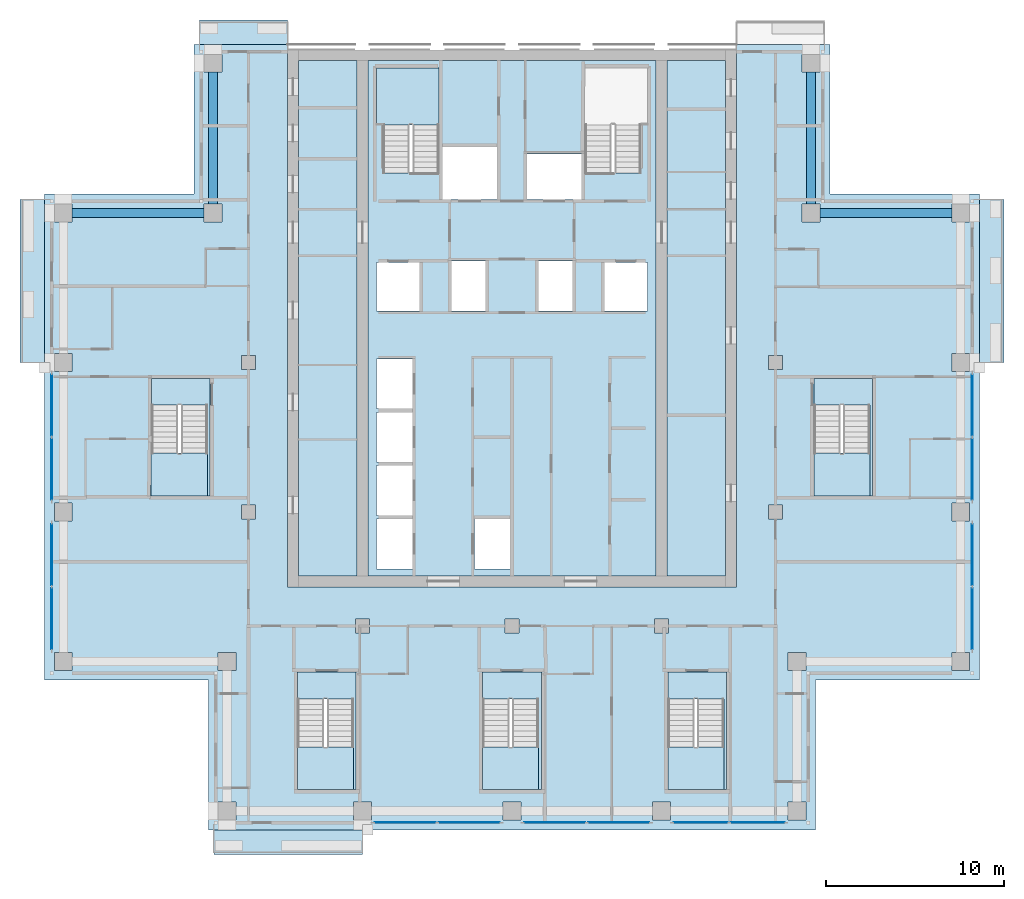
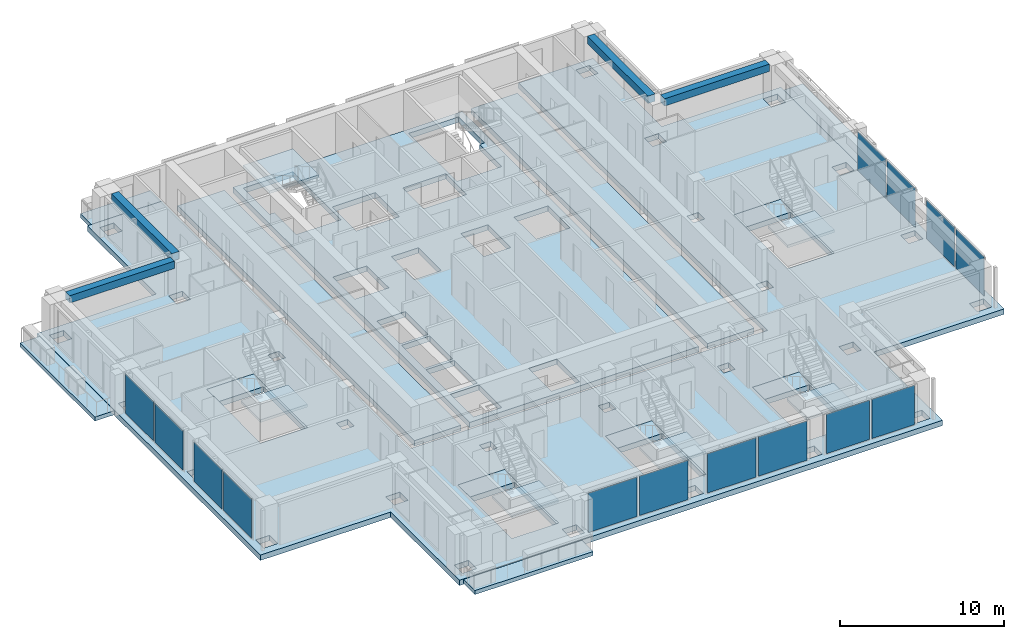
# One storey, part 6 of 16: 19 slabs, 14 plates, 4 beams, 13 elements without a shape of their own.
"""IFC4 building model written with IfcOpenShell, lengths in metres."""

from ifc_helpers import new_model, si_unit, direction, frame, origin, origin_2d, place, context, subcontext, project, spatial, polyline, rectangle, outline, extrude, material, layer, layer_set, material_profile, profile_set, type_object, element, aggregate, save


model = new_model("IFC4")

# Units and contexts
model_context = context("Model", 3, precision=1e-05, world=origin(), true_north=direction((0.0, 1.0)))
body_context = subcontext(model_context, "Body", "Model", "MODEL_VIEW")
ifc_project = project(units=[si_unit("LENGTHUNIT", "METRE"), si_unit("AREAUNIT", "SQUARE_METRE"), si_unit("VOLUMEUNIT", "CUBIC_METRE"), si_unit("PLANEANGLEUNIT", "RADIAN"), si_unit("MASSUNIT", "GRAM", prefix="KILO")], contexts=[model_context])

# Site, building, storey
site_placement = place(None, origin())
site = spatial("IfcSite", under=ifc_project, at=site_placement, CompositionType="ELEMENT")
building_placement = place(site_placement, origin())
building = spatial("IfcBuilding", under=site, at=building_placement, Name="Vermilion Ogive Tower", CompositionType="ELEMENT")
storey_placement = place(building_placement, frame((0.0, 0.0, 182.449951171875)))
storey = spatial("IfcBuildingStorey", under=building, at=storey_placement, Name="L47", CompositionType="ELEMENT", Elevation=182.449951171875)

# Beams
ifc_material_1 = material(Name="Concrete B45", Category="concrete")
ifc_material_profile = material_profile(ifc_material_1, rectangle(XDim=0.5, YDim=0.550048828125, at=origin_2d()), Name="500 x 550")
ifc_profile_set = profile_set([ifc_material_profile], Name="Concrete B45")
beam_type = type_object("IfcBeamType", Name="Edge beam 500 x 550 B45", PredefinedType="BEAM", material=ifc_profile_set)
for number, where, z_axis, x_axis, name in (
    (1, (24.699951171875, 12.60009765625, 2.775146484375), (-1.0, 0.0, 0.0), (0.0, -1.0, 0.0), "L47-EB-10"),
    (2, (16.800048828125, 13.10009765625, 2.775146484375), (0.0, 1.0, 0.0), (-1.0, 0.0, 0.0), "L47-EB-11"),
    (3, (-16.800048828125, 20.5, 2.775146484375), (0.0, -1.0, 0.0), (1.0, 0.0, 0.0), "L47-EB-12"),
    (4, (-17.300048828125, 12.60009765625, 2.775146484375), (-1.0, 0.0, 0.0), (0.0, -1.0, 0.0), "L47-EB-13"),
):
    element("IfcBeam", number, at=place(storey_placement, frame(where, z_axis=z_axis, x_axis=x_axis)), inside=storey, type_object=beam_type, Name=name, PredefinedType="BEAM", context=body_context, shape_type="SweptSolid", body=[
        extrude(rectangle(XDim=0.5, YDim=0.550048828125, at=origin_2d()), origin(), (0.0, 0.0, 1.0), 7.39990234375),
    ])

# Slabs
ifc_material_2 = material(Name="Concrete B40", Category="concrete")
ifc_layer_1 = layer(ifc_material_2, 0.300048828125)
ifc_layer_set_1 = layer_set([ifc_layer_1], Name="Balcony slab")
slab_type_1 = type_object("IfcSlabType", Name="Balcony slab", PredefinedType="FLOOR", material=ifc_layer_set_1)
slab_1_placement = place(storey_placement, frame((0.0, 0.0, -0.33984375)))
element("IfcSlab", 5, at=slab_1_placement, inside=storey, type_object=slab_type_1, Name="Balcony slab S01", PredefinedType="FLOOR", context=body_context, shape_type="SweptSolid", body=[
    extrude(outline(polyline([(-16.75, -23.43408203125), (-8.39990234375, -23.43408203125), (-8.39990234375, -22.050048828125), (-16.75, -22.050048828125), (-16.75, -23.43408203125)])), origin(), (0.0, 0.0, 1.0), 0.2998046875),
])
slab_2_placement = place(storey_placement, frame((0.0, 0.0, -0.33984375)))
element("IfcSlab", 6, at=slab_2_placement, inside=storey, type_object=slab_type_1, Name="Balcony slab E03", PredefinedType="FLOOR", context=body_context, shape_type="SweptSolid", body=[
    extrude(outline(polyline([(27.634033203125, 4.199951171875), (27.634033203125, 13.35009765625), (26.25, 13.35009765625), (26.25, 4.199951171875), (27.634033203125, 4.199951171875)])), origin(), (0.0, 0.0, 1.0), 0.2998046875),
])
slab_3_placement = place(storey_placement, frame((0.0, 0.0, -0.33984375)))
element("IfcSlab", 7, at=slab_3_placement, inside=storey, type_object=slab_type_1, Name="Balcony slab N201", PredefinedType="FLOOR", context=body_context, shape_type="SweptSolid", body=[
    extrude(outline(polyline([(-12.60009765625, 23.43408203125), (-17.550048828125, 23.43408203125), (-17.550048828125, 22.050048828125), (-12.60009765625, 22.050048828125), (-12.60009765625, 23.43408203125)])), origin(), (0.0, 0.0, 1.0), 0.2998046875),
])
slab_4_placement = place(storey_placement, frame((0.0, 0.0, -0.33984375)))
element("IfcSlab", 8, at=slab_4_placement, inside=storey, type_object=slab_type_1, Name="Balcony slab W01", PredefinedType="FLOOR", context=body_context, shape_type="SweptSolid", body=[
    extrude(outline(polyline([(-27.634033203125, 13.35009765625), (-27.634033203125, 4.199951171875), (-26.25, 4.199951171875), (-26.25, 13.35009765625), (-27.634033203125, 13.35009765625)])), origin(), (0.0, 0.0, 1.0), 0.2998046875),
])

# Curtain wall, plates
ifc_material_3 = material(Name="Low-iron laminated glazing in aluminium frame", Category="aluminium")
curtain_wall_type = type_object("IfcCurtainWallType", Name="Curtain wall CW7", PredefinedType="NOTDEFINED", material=ifc_material_3)
curtain_wall_1_placement = place(storey_placement, origin())
curtain_wall_1 = element("IfcCurtainWall", 9, at=curtain_wall_1_placement, inside=storey, type_object=curtain_wall_type, Name="Glazed skin S2", PredefinedType="NOTDEFINED")
ifc_material_4 = material(Name="Low-iron laminated glazing in aluminium frame", Category="aluminium")
ifc_layer_2 = layer(ifc_material_4, 0.031982421875)
ifc_layer_set_2 = layer_set([ifc_layer_2], Name="CW7 glazing panel 32")
plate_type = type_object("IfcPlateType", Name="CW7 glazing panel 32", PredefinedType="CURTAIN_PANEL", material=ifc_layer_set_2)
plate_1_placement = place(storey_placement, frame((-6.0048828125, -21.64990234375, 0.06005859375), z_axis=(0.0, 0.0, 1.0), x_axis=(1.0, 0.0, 0.0)))
plate_1 = element("IfcPlate", 10, at=plate_1_placement, type_object=plate_type, Name="CW7-S2 panel 1.1", PredefinedType="CURTAIN_PANEL", context=body_context, shape_type="SweptSolid", body=[
    extrude(rectangle(XDim=3.429931640625, YDim=0.031982421875, at=origin_2d()), origin(), (0.0, 0.0, 1.0), 2.929931640625),
])
plate_2_placement = place(storey_placement, frame((-2.39501953125, -21.64990234375, 0.06005859375), z_axis=(0.0, 0.0, 1.0), x_axis=(1.0, 0.0, 0.0)))
plate_2 = element("IfcPlate", 11, at=plate_2_placement, type_object=plate_type, Name="CW7-S2 panel 2.1", PredefinedType="CURTAIN_PANEL", context=body_context, shape_type="SweptSolid", body=[
    extrude(rectangle(XDim=3.429931640625, YDim=0.031982421875, at=origin_2d()), origin(), (0.0, 0.0, 1.0), 2.929931640625),
])
aggregate(curtain_wall_1, [plate_1, plate_2])

curtain_wall_2_placement = place(storey_placement, origin())
curtain_wall_2 = element("IfcCurtainWall", 12, at=curtain_wall_2_placement, inside=storey, type_object=curtain_wall_type, Name="Glazed skin S3", PredefinedType="NOTDEFINED")
plate_3_placement = place(storey_placement, frame((2.39501953125, -21.64990234375, 0.06005859375), z_axis=(0.0, 0.0, 1.0), x_axis=(1.0, 0.0, 0.0)))
plate_3 = element("IfcPlate", 13, at=plate_3_placement, type_object=plate_type, Name="CW7-S3 panel 1.1", PredefinedType="CURTAIN_PANEL", context=body_context, shape_type="SweptSolid", body=[
    extrude(rectangle(XDim=3.429931640625, YDim=0.031982421875, at=origin_2d()), origin(), (0.0, 0.0, 1.0), 2.929931640625),
])
plate_4_placement = place(storey_placement, frame((6.0048828125, -21.64990234375, 0.06005859375), z_axis=(0.0, 0.0, 1.0), x_axis=(1.0, 0.0, 0.0)))
plate_4 = element("IfcPlate", 14, at=plate_4_placement, type_object=plate_type, Name="CW7-S3 panel 2.1", PredefinedType="CURTAIN_PANEL", context=body_context, shape_type="SweptSolid", body=[
    extrude(rectangle(XDim=3.429931640625, YDim=0.031982421875, at=origin_2d()), origin(), (0.0, 0.0, 1.0), 2.929931640625),
])
aggregate(curtain_wall_2, [plate_3, plate_4])

curtain_wall_3_placement = place(storey_placement, origin())
curtain_wall_3 = element("IfcCurtainWall", 15, at=curtain_wall_3_placement, inside=storey, type_object=curtain_wall_type, Name="Glazed skin S4", PredefinedType="NOTDEFINED")
plate_5_placement = place(storey_placement, frame((10.594970703125, -21.64990234375, 0.06005859375), z_axis=(0.0, 0.0, 1.0), x_axis=(1.0, 0.0, 0.0)))
plate_5 = element("IfcPlate", 16, at=plate_5_placement, type_object=plate_type, Name="CW7-S4 panel 1.1", PredefinedType="CURTAIN_PANEL", context=body_context, shape_type="SweptSolid", body=[
    extrude(rectangle(XDim=3.030029296875, YDim=0.031982421875, at=origin_2d()), origin(), (0.0, 0.0, 1.0), 2.929931640625),
])
plate_6_placement = place(storey_placement, frame((13.804931640625, -21.64990234375, 0.06005859375), z_axis=(0.0, 0.0, 1.0), x_axis=(1.0, 0.0, 0.0)))
plate_6 = element("IfcPlate", 17, at=plate_6_placement, type_object=plate_type, Name="CW7-S4 panel 2.1", PredefinedType="CURTAIN_PANEL", context=body_context, shape_type="SweptSolid", body=[
    extrude(rectangle(XDim=3.030029296875, YDim=0.031982421875, at=origin_2d()), origin(), (0.0, 0.0, 1.0), 2.929931640625),
])
aggregate(curtain_wall_3, [plate_5, plate_6])

curtain_wall_4_placement = place(storey_placement, origin())
curtain_wall_4 = element("IfcCurtainWall", 18, at=curtain_wall_4_placement, inside=storey, type_object=curtain_wall_type, Name="Glazed skin E1", PredefinedType="NOTDEFINED")
plate_7_placement = place(storey_placement, frame((25.85009765625, -10.205078125, 0.06005859375), z_axis=(0.0, 0.0, 1.0), x_axis=(0.0, 1.0, 0.0)))
plate_7 = element("IfcPlate", 19, at=plate_7_placement, type_object=plate_type, Name="CW7-E1 panel 1.1", PredefinedType="CURTAIN_PANEL", context=body_context, shape_type="SweptSolid", body=[
    extrude(rectangle(XDim=3.429931640625, YDim=0.031982421875, at=origin_2d()), origin(), (0.0, 0.0, 1.0), 2.929931640625),
])
plate_8_placement = place(storey_placement, frame((25.85009765625, -6.594970703125, 0.06005859375), z_axis=(0.0, 0.0, 1.0), x_axis=(0.0, 1.0, 0.0)))
plate_8 = element("IfcPlate", 20, at=plate_8_placement, type_object=plate_type, Name="CW7-E1 panel 2.1", PredefinedType="CURTAIN_PANEL", context=body_context, shape_type="SweptSolid", body=[
    extrude(rectangle(XDim=3.429931640625, YDim=0.031982421875, at=origin_2d()), origin(), (0.0, 0.0, 1.0), 2.929931640625),
])
aggregate(curtain_wall_4, [plate_7, plate_8])

curtain_wall_5_placement = place(storey_placement, origin())
curtain_wall_5 = element("IfcCurtainWall", 21, at=curtain_wall_5_placement, inside=storey, type_object=curtain_wall_type, Name="Glazed skin E2", PredefinedType="NOTDEFINED")
plate_9_placement = place(storey_placement, frame((25.85009765625, -1.804931640625, 0.06005859375), z_axis=(0.0, 0.0, 1.0), x_axis=(0.0, 1.0, 0.0)))
plate_9 = element("IfcPlate", 22, at=plate_9_placement, type_object=plate_type, Name="CW7-E2 panel 1.1", PredefinedType="CURTAIN_PANEL", context=body_context, shape_type="SweptSolid", body=[
    extrude(rectangle(XDim=3.429931640625, YDim=0.031982421875, at=origin_2d()), origin(), (0.0, 0.0, 1.0), 2.929931640625),
])
plate_10_placement = place(storey_placement, frame((25.85009765625, 1.804931640625, 0.06005859375), z_axis=(0.0, 0.0, 1.0), x_axis=(0.0, 1.0, 0.0)))
plate_10 = element("IfcPlate", 23, at=plate_10_placement, type_object=plate_type, Name="CW7-E2 panel 2.1", PredefinedType="CURTAIN_PANEL", context=body_context, shape_type="SweptSolid", body=[
    extrude(rectangle(XDim=3.429931640625, YDim=0.031982421875, at=origin_2d()), origin(), (0.0, 0.0, 1.0), 2.929931640625),
])
aggregate(curtain_wall_5, [plate_9, plate_10])

curtain_wall_6_placement = place(storey_placement, origin())
curtain_wall_6 = element("IfcCurtainWall", 24, at=curtain_wall_6_placement, inside=storey, type_object=curtain_wall_type, Name="Glazed skin W2", PredefinedType="NOTDEFINED")
plate_11_placement = place(storey_placement, frame((-25.85009765625, 1.804931640625, 0.06005859375), z_axis=(0.0, 0.0, 1.0), x_axis=(0.0, -1.0, 0.0)))
plate_11 = element("IfcPlate", 25, at=plate_11_placement, type_object=plate_type, Name="CW7-W2 panel 1.1", PredefinedType="CURTAIN_PANEL", context=body_context, shape_type="SweptSolid", body=[
    extrude(rectangle(XDim=3.429931640625, YDim=0.031982421875, at=origin_2d()), origin(), (0.0, 0.0, 1.0), 2.929931640625),
])
plate_12_placement = place(storey_placement, frame((-25.85009765625, -1.804931640625, 0.06005859375), z_axis=(0.0, 0.0, 1.0), x_axis=(0.0, -1.0, 0.0)))
plate_12 = element("IfcPlate", 26, at=plate_12_placement, type_object=plate_type, Name="CW7-W2 panel 2.1", PredefinedType="CURTAIN_PANEL", context=body_context, shape_type="SweptSolid", body=[
    extrude(rectangle(XDim=3.429931640625, YDim=0.031982421875, at=origin_2d()), origin(), (0.0, 0.0, 1.0), 2.929931640625),
])
aggregate(curtain_wall_6, [plate_11, plate_12])

curtain_wall_7_placement = place(storey_placement, origin())
curtain_wall_7 = element("IfcCurtainWall", 27, at=curtain_wall_7_placement, inside=storey, type_object=curtain_wall_type, Name="Glazed skin W3", PredefinedType="NOTDEFINED")
plate_13_placement = place(storey_placement, frame((-25.85009765625, -6.594970703125, 0.06005859375), z_axis=(0.0, 0.0, 1.0), x_axis=(0.0, -1.0, 0.0)))
plate_13 = element("IfcPlate", 28, at=plate_13_placement, type_object=plate_type, Name="CW7-W3 panel 1.1", PredefinedType="CURTAIN_PANEL", context=body_context, shape_type="SweptSolid", body=[
    extrude(rectangle(XDim=3.429931640625, YDim=0.031982421875, at=origin_2d()), origin(), (0.0, 0.0, 1.0), 2.929931640625),
])
plate_14_placement = place(storey_placement, frame((-25.85009765625, -10.205078125, 0.06005859375), z_axis=(0.0, 0.0, 1.0), x_axis=(0.0, -1.0, 0.0)))
plate_14 = element("IfcPlate", 29, at=plate_14_placement, type_object=plate_type, Name="CW7-W3 panel 2.1", PredefinedType="CURTAIN_PANEL", context=body_context, shape_type="SweptSolid", body=[
    extrude(rectangle(XDim=3.429931640625, YDim=0.031982421875, at=origin_2d()), origin(), (0.0, 0.0, 1.0), 2.929931640625),
])
aggregate(curtain_wall_7, [plate_13, plate_14])

# Slabs
ifc_material_5 = material(Name="Concrete B40", Category="concrete")
ifc_layer_3 = layer(ifc_material_5, 0.39990234375)
ifc_layer_set_3 = layer_set([ifc_layer_3], Name="Core floor slab 400 B40")
slab_type_2 = type_object("IfcSlabType", Name="Core floor slab 400 B40", PredefinedType="FLOOR", material=ifc_layer_set_3)
slab_5_placement = place(storey_placement, frame((0.0, 0.0, -0.39990234375)))
element("IfcSlab", 30, at=slab_5_placement, inside=storey, type_object=slab_type_2, Name="L47-CK-FS1", PredefinedType="FLOOR", context=body_context, shape_type="SweptSolid", body=[
    extrude(outline(polyline([(-11.99609375, 21.14599609375), (-8.7041015625, 21.14599609375), (-8.7041015625, -7.7958984375), (-11.99609375, -7.7958984375), (-11.99609375, 21.14599609375)])), origin(), (0.0, 0.0, 1.0), 0.39990234375),
])
slab_6_placement = place(storey_placement, frame((0.0, 0.0, -0.39990234375)))
element("IfcSlab", 31, at=slab_6_placement, inside=storey, type_object=slab_type_2, Name="L47-CK-FS2", PredefinedType="FLOOR", context=body_context, shape_type="SweptSolid", body=[
    extrude(outline(polyline([(-8.095947265625, -7.7958984375), (8.095947265625, -7.7958984375), (8.095947265625, 21.14599609375), (-8.095947265625, 21.14599609375), (-8.095947265625, -7.7958984375)]), holes=[polyline([(-7.60009765625, -7.39990234375), (-7.60009765625, -4.60009765625), (-5.60009765625, -4.60009765625), (-5.60009765625, -7.39990234375), (-7.60009765625, -7.39990234375)]), polyline([(-7.60009765625, -4.39990234375), (-7.60009765625, -1.60009765625), (-5.60009765625, -1.60009765625), (-5.60009765625, -4.39990234375), (-7.60009765625, -4.39990234375)]), polyline([(-7.60009765625, -1.39990234375), (-7.60009765625, 1.39990234375), (-5.60009765625, 1.39990234375), (-5.60009765625, -1.39990234375), (-7.60009765625, -1.39990234375)]), polyline([(-7.60009765625, 1.60009765625), (-7.60009765625, 4.39990234375), (-5.60009765625, 4.39990234375), (-5.60009765625, 1.60009765625), (-7.60009765625, 1.60009765625)]), polyline([(-7.60009765625, 7.10009765625), (-7.60009765625, 9.800048828125), (-5.199951171875, 9.800048828125), (-5.199951171875, 7.10009765625), (-7.60009765625, 7.10009765625)]), polyline([(-3.39990234375, 9.89990234375), (-1.5, 9.89990234375), (-1.5, 7.10009765625), (-3.39990234375, 7.10009765625), (-3.39990234375, 9.89990234375)]), polyline([(-7.60009765625, 17.550048828125), (-7.60009765625, 20.75), (-4.10009765625, 20.75), (-4.10009765625, 14.85205078125), (-5.60009765625, 14.85205078125), (-5.60009765625, 14.85009765625), (-5.75, 14.85009765625), (-5.75, 14.85205078125), (-7.25, 14.85205078125), (-7.25, 17.550048828125), (-7.60009765625, 17.550048828125)]), polyline([(-2.10009765625, -7.39990234375), (-2.10009765625, -4.60009765625), (-0.10009765625, -4.60009765625), (-0.10009765625, -7.39990234375), (-2.10009765625, -7.39990234375)]), polyline([(5.199951171875, 7.10009765625), (5.199951171875, 9.800048828125), (7.60009765625, 9.800048828125), (7.60009765625, 7.10009765625), (5.199951171875, 7.10009765625)]), polyline([(1.5, 7.10009765625), (1.5, 9.89990234375), (3.39990234375, 9.89990234375), (3.39990234375, 7.10009765625), (1.5, 7.10009765625)]), polyline([(0.85009765625, 13.35009765625), (0.85009765625, 15.89990234375), (3.89990234375, 15.89990234375), (3.89990234375, 13.35009765625), (0.85009765625, 13.35009765625)]), polyline([(-3.89990234375, 16.300048828125), (-0.85009765625, 16.300048828125), (-0.85009765625, 13.35009765625), (-3.89990234375, 13.35009765625), (-3.89990234375, 16.300048828125)]), polyline([(5.75, 14.85009765625), (5.60009765625, 14.85009765625), (5.60009765625, 14.85205078125), (4.10009765625, 14.85205078125), (4.10009765625, 17.550048828125), (4.074951171875, 17.550048828125), (4.074951171875, 20.75), (7.60009765625, 20.75), (7.60009765625, 17.550048828125), (7.25, 17.550048828125), (7.25, 14.85205078125), (5.75, 14.85205078125), (5.75, 14.85009765625)])]), origin(), (0.0, 0.0, 1.0), 0.39990234375),
])
slab_7_placement = place(storey_placement, frame((0.0, 0.0, -0.39990234375)))
element("IfcSlab", 32, at=slab_7_placement, inside=storey, type_object=slab_type_2, Name="L47-CK-FS3", PredefinedType="FLOOR", context=body_context, shape_type="SweptSolid", body=[
    extrude(outline(polyline([(11.99609375, 21.14599609375), (11.99609375, -7.7958984375), (8.7041015625, -7.7958984375), (8.7041015625, 21.14599609375), (11.99609375, 21.14599609375)])), origin(), (0.0, 0.0, 1.0), 0.39990234375),
])
slab_8_placement = place(storey_placement, frame((0.0, 0.0, -0.39990234375)))
element("IfcSlab", 33, at=slab_8_placement, inside=storey, type_object=slab_type_2, Name="L47-SF-ST3-1", PredefinedType="FLOOR", context=body_context, shape_type="SweptSolid", body=[
    extrude(outline(polyline([(-12.050048828125, -13.199951171875), (-12.050048828125, -14.701904296875), (-10.550048828125, -14.701904296875), (-10.550048828125, -14.699951171875), (-10.39990234375, -14.699951171875), (-10.39990234375, -14.701904296875), (-8.89990234375, -14.701904296875), (-8.89990234375, -19.800048828125), (-8.75, -19.800048828125), (-8.75, -13.199951171875), (-12.050048828125, -13.199951171875)])), origin(), (0.0, 0.0, 1.0), 0.39990234375),
])
slab_9_placement = place(storey_placement, frame((0.0, 0.0, -0.39990234375)))
element("IfcSlab", 34, at=slab_9_placement, inside=storey, type_object=slab_type_2, Name="L47-SF-ST4-1", PredefinedType="FLOOR", context=body_context, shape_type="SweptSolid", body=[
    extrude(outline(polyline([(-1.64990234375, -13.199951171875), (-1.64990234375, -14.701904296875), (-0.14990234375, -14.701904296875), (-0.14990234375, -14.699951171875), (0.0, -14.699951171875), (0.0, -14.701904296875), (1.5, -14.701904296875), (1.5, -19.800048828125), (1.64990234375, -19.800048828125), (1.64990234375, -13.199951171875), (-1.64990234375, -13.199951171875)])), origin(), (0.0, 0.0, 1.0), 0.39990234375),
])
slab_10_placement = place(storey_placement, frame((0.0, 0.0, -0.39990234375)))
element("IfcSlab", 35, at=slab_10_placement, inside=storey, type_object=slab_type_2, Name="L47-SF-ST5-1", PredefinedType="FLOOR", context=body_context, shape_type="SweptSolid", body=[
    extrude(outline(polyline([(8.75, -13.199951171875), (8.75, -14.701904296875), (10.25, -14.701904296875), (10.25, -14.699951171875), (10.39990234375, -14.699951171875), (10.39990234375, -14.701904296875), (11.89990234375, -14.701904296875), (11.89990234375, -19.800048828125), (12.050048828125, -19.800048828125), (12.050048828125, -13.199951171875), (8.75, -13.199951171875)])), origin(), (0.0, 0.0, 1.0), 0.39990234375),
])
slab_11_placement = place(storey_placement, frame((0.0, 0.0, -0.39990234375)))
element("IfcSlab", 36, at=slab_11_placement, inside=storey, type_object=slab_type_2, Name="L47-SF-ST8-1", PredefinedType="FLOOR", context=body_context, shape_type="SweptSolid", body=[
    extrude(outline(polyline([(16.949951171875, 3.300048828125), (16.949951171875, 1.798095703125), (18.449951171875, 1.798095703125), (18.449951171875, 1.800048828125), (18.60009765625, 1.800048828125), (18.60009765625, 1.798095703125), (20.10009765625, 1.798095703125), (20.10009765625, -3.300048828125), (20.25, -3.300048828125), (20.25, 3.300048828125), (16.949951171875, 3.300048828125)])), origin(), (0.0, 0.0, 1.0), 0.39990234375),
])
slab_12_placement = place(storey_placement, frame((0.0, 0.0, -0.39990234375)))
element("IfcSlab", 37, at=slab_12_placement, inside=storey, type_object=slab_type_2, Name="L47-SF-ST9-1", PredefinedType="FLOOR", context=body_context, shape_type="SweptSolid", body=[
    extrude(outline(polyline([(-20.25, 3.300048828125), (-20.25, 1.798095703125), (-18.75, 1.798095703125), (-18.75, 1.800048828125), (-18.60009765625, 1.800048828125), (-18.60009765625, 1.798095703125), (-17.10009765625, 1.798095703125), (-17.10009765625, -3.300048828125), (-16.949951171875, -3.300048828125), (-16.949951171875, 3.300048828125), (-20.25, 3.300048828125)])), origin(), (0.0, 0.0, 1.0), 0.39990234375),
])
ifc_material_6 = material(Name="Concrete B45", Category="concrete")
ifc_layer_4 = layer(ifc_material_6, 0.39990234375)
ifc_layer_set_4 = layer_set([ifc_layer_4], Name="Post-tensioned flat plate 400 B45")
slab_type_3 = type_object("IfcSlabType", Name="Post-tensioned flat plate 400 B45", PredefinedType="FLOOR", material=ifc_layer_set_4)
slab_13_placement = place(storey_placement, frame((0.0, 0.0, -0.39990234375)))
element("IfcSlab", 38, at=slab_13_placement, inside=storey, type_object=slab_type_3, Name="L47-SL-1", PredefinedType="FLOOR", context=body_context, shape_type="SweptSolid", body=[
    extrude(outline(polyline([(-26.25, -13.64990234375), (-17.050048828125, -13.64990234375), (-17.050048828125, -22.050048828125), (17.050048828125, -22.050048828125), (17.050048828125, -13.64990234375), (26.25, -13.64990234375), (26.25, 13.64990234375), (17.85009765625, 13.64990234375), (17.85009765625, 22.050048828125), (12.60009765625, 22.050048828125), (12.60009765625, -8.39990234375), (-12.60009765625, -8.39990234375), (-12.60009765625, 22.050048828125), (-17.85009765625, 22.050048828125), (-17.85009765625, 13.64990234375), (-26.25, 13.64990234375), (-26.25, -13.64990234375)]), holes=[polyline([(25.699951171875, -3.699951171875), (25.699951171875, -4.699951171875), (24.699951171875, -4.699951171875), (24.699951171875, -3.699951171875), (25.699951171875, -3.699951171875)]), polyline([(25.699951171875, -12.10009765625), (25.699951171875, -13.10009765625), (24.699951171875, -13.10009765625), (24.699951171875, -12.10009765625), (25.699951171875, -12.10009765625)]), polyline([(25.699951171875, 12.10009765625), (24.699951171875, 12.10009765625), (24.699951171875, 13.10009765625), (25.699951171875, 13.10009765625), (25.699951171875, 12.10009765625)]), polyline([(25.699951171875, 3.699951171875), (24.699951171875, 3.699951171875), (24.699951171875, 4.699951171875), (25.699951171875, 4.699951171875), (25.699951171875, 3.699951171875)]), polyline([(20.25, 3.300048828125), (20.25, -3.300048828125), (16.949951171875, -3.300048828125), (16.949951171875, 3.300048828125), (20.25, 3.300048828125)]), polyline([(17.300048828125, 13.10009765625), (17.300048828125, 12.10009765625), (16.300048828125, 12.10009765625), (16.300048828125, 13.10009765625), (17.300048828125, 13.10009765625)]), polyline([(17.300048828125, 20.5), (16.300048828125, 20.5), (16.300048828125, 21.5), (17.300048828125, 21.5), (17.300048828125, 20.5)]), polyline([(16.5, -12.10009765625), (16.5, -13.10009765625), (15.5, -13.10009765625), (15.5, -12.10009765625), (16.5, -12.10009765625)]), polyline([(16.5, -20.5), (16.5, -21.5), (15.5, -21.5), (15.5, -20.5), (16.5, -20.5)]), polyline([(15.199951171875, 4.60009765625), (15.199951171875, 3.800048828125), (14.39990234375, 3.800048828125), (14.39990234375, 4.60009765625), (15.199951171875, 4.60009765625)]), polyline([(15.199951171875, -4.60009765625), (14.39990234375, -4.60009765625), (14.39990234375, -3.800048828125), (15.199951171875, -3.800048828125), (15.199951171875, -4.60009765625)]), polyline([(12.050048828125, -13.199951171875), (12.050048828125, -19.800048828125), (8.75, -19.800048828125), (8.75, -13.199951171875), (12.050048828125, -13.199951171875)]), polyline([(8.89990234375, -20.5), (8.89990234375, -21.5), (7.89990234375, -21.5), (7.89990234375, -20.5), (8.89990234375, -20.5)]), polyline([(8.800048828125, -11.0), (8.0, -11.0), (8.0, -10.199951171875), (8.800048828125, -10.199951171875), (8.800048828125, -11.0)]), polyline([(1.64990234375, -13.199951171875), (1.64990234375, -19.800048828125), (-1.64990234375, -19.800048828125), (-1.64990234375, -13.199951171875), (1.64990234375, -13.199951171875)]), polyline([(0.5, -20.5), (0.5, -21.5), (-0.5, -21.5), (-0.5, -20.5), (0.5, -20.5)]), polyline([(0.39990234375, -10.199951171875), (0.39990234375, -11.0), (-0.39990234375, -11.0), (-0.39990234375, -10.199951171875), (0.39990234375, -10.199951171875)]), polyline([(-7.89990234375, -20.5), (-7.89990234375, -21.5), (-8.89990234375, -21.5), (-8.89990234375, -20.5), (-7.89990234375, -20.5)]), polyline([(-8.0, -10.199951171875), (-8.0, -11.0), (-8.800048828125, -11.0), (-8.800048828125, -10.199951171875), (-8.0, -10.199951171875)]), polyline([(-8.75, -13.199951171875), (-8.75, -19.800048828125), (-12.050048828125, -19.800048828125), (-12.050048828125, -13.199951171875), (-8.75, -13.199951171875)]), polyline([(-14.39990234375, 4.60009765625), (-14.39990234375, 3.800048828125), (-15.199951171875, 3.800048828125), (-15.199951171875, 4.60009765625), (-14.39990234375, 4.60009765625)]), polyline([(-14.39990234375, -4.60009765625), (-15.199951171875, -4.60009765625), (-15.199951171875, -3.800048828125), (-14.39990234375, -3.800048828125), (-14.39990234375, -4.60009765625)]), polyline([(-15.5, -12.10009765625), (-15.5, -13.10009765625), (-16.5, -13.10009765625), (-16.5, -12.10009765625), (-15.5, -12.10009765625)]), polyline([(-15.5, -20.5), (-15.5, -21.5), (-16.5, -21.5), (-16.5, -20.5), (-15.5, -20.5)]), polyline([(-16.300048828125, 13.10009765625), (-16.300048828125, 12.10009765625), (-17.300048828125, 12.10009765625), (-17.300048828125, 13.10009765625), (-16.300048828125, 13.10009765625)]), polyline([(-16.300048828125, 20.5), (-17.300048828125, 20.5), (-17.300048828125, 21.5), (-16.300048828125, 21.5), (-16.300048828125, 20.5)]), polyline([(-16.949951171875, 3.300048828125), (-16.949951171875, -3.300048828125), (-20.25, -3.300048828125), (-20.25, -3.2998046875), (-20.275146484375, -3.2998046875), (-20.275146484375, -0.89990234375), (-20.25, -0.89990234375), (-20.25, 3.300048828125), (-16.949951171875, 3.300048828125)]), polyline([(-24.699951171875, 3.699951171875), (-25.699951171875, 3.699951171875), (-25.699951171875, 4.699951171875), (-24.699951171875, 4.699951171875), (-24.699951171875, 3.699951171875)]), polyline([(-24.699951171875, 13.10009765625), (-24.699951171875, 12.10009765625), (-25.699951171875, 12.10009765625), (-25.699951171875, 13.10009765625), (-24.699951171875, 13.10009765625)]), polyline([(-24.699951171875, -3.699951171875), (-24.699951171875, -4.699951171875), (-25.699951171875, -4.699951171875), (-25.699951171875, -3.699951171875), (-24.699951171875, -3.699951171875)]), polyline([(-24.699951171875, -12.10009765625), (-24.699951171875, -13.10009765625), (-25.699951171875, -13.10009765625), (-25.699951171875, -12.10009765625), (-24.699951171875, -12.10009765625)])]), origin(), (0.0, 0.0, 1.0), 0.39990234375),
])

# Stair, slab
ifc_material_7 = material(Name="Concrete B40", Category="concrete")
stair_type = type_object("IfcStairType", Name="Exit stair 1500", PredefinedType="HALF_TURN_STAIR", material=ifc_material_7)
stair_1_placement = place(storey_placement, origin())
stair_1 = element("IfcStair", 39, at=stair_1_placement, inside=storey, type_object=stair_type, Name="L47 Exit Stair ST1", PredefinedType="HALF_TURN_STAIR")
ifc_material_8 = material(Name="Concrete B40", Category="concrete")
ifc_layer_5 = layer(ifc_material_8, 0.199951171875)
ifc_layer_set_5 = layer_set([ifc_layer_5], Name="Stair landing 200")
slab_type_4 = type_object("IfcSlabType", Name="Stair landing 200", PredefinedType="LANDING", material=ifc_layer_set_5)
slab_14_placement = place(storey_placement, frame((0.0, 0.0, 1.525146484375)))
slab_14 = element("IfcSlab", 40, at=slab_14_placement, type_object=slab_type_4, Name="ST1 landing 1", PredefinedType="LANDING", context=body_context, shape_type="SweptSolid", body=[
    extrude(outline(polyline([(-7.60009765625, 17.550048828125), (-7.25, 17.550048828125), (-7.25, 17.548095703125), (-5.75, 17.548095703125), (-5.75, 17.550048828125), (-5.60009765625, 17.550048828125), (-5.60009765625, 17.548095703125), (-4.10009765625, 17.548095703125), (-4.10009765625, 20.75), (-7.60009765625, 20.75), (-7.60009765625, 17.550048828125)])), origin(), (0.0, 0.0, 1.0), 0.199951171875),
])
aggregate(stair_1, [slab_14])

stair_2_placement = place(storey_placement, origin())
stair_2 = element("IfcStair", 41, at=stair_2_placement, inside=storey, type_object=stair_type, Name="L47 Exit Stair ST3", PredefinedType="HALF_TURN_STAIR")
slab_15_placement = place(storey_placement, frame((0.0, 0.0, 1.525146484375)))
slab_15 = element("IfcSlab", 42, at=slab_15_placement, type_object=slab_type_4, Name="ST3 landing 1", PredefinedType="LANDING", context=body_context, shape_type="SweptSolid", body=[
    extrude(outline(polyline([(-8.75, -17.39990234375), (-8.89990234375, -17.39990234375), (-8.89990234375, -17.39794921875), (-10.39990234375, -17.39794921875), (-10.39990234375, -17.39990234375), (-10.550048828125, -17.39990234375), (-10.550048828125, -17.39794921875), (-12.050048828125, -17.39794921875), (-12.050048828125, -17.402099609375), (-12.0498046875, -17.402099609375), (-12.0498046875, -19.7998046875), (-8.75, -19.7998046875), (-8.75, -17.39990234375)])), origin(), (0.0, 0.0, 1.0), 0.199951171875),
])
aggregate(stair_2, [slab_15])

stair_3_placement = place(storey_placement, origin())
stair_3 = element("IfcStair", 43, at=stair_3_placement, inside=storey, type_object=stair_type, Name="L47 Exit Stair ST4", PredefinedType="HALF_TURN_STAIR")
slab_16_placement = place(storey_placement, frame((0.0, 0.0, 1.525146484375)))
slab_16 = element("IfcSlab", 44, at=slab_16_placement, type_object=slab_type_4, Name="ST4 landing 1", PredefinedType="LANDING", context=body_context, shape_type="SweptSolid", body=[
    extrude(outline(polyline([(1.64990234375, -17.39990234375), (1.5, -17.39990234375), (1.5, -17.39794921875), (0.0, -17.39794921875), (0.0, -17.39990234375), (-0.14990234375, -17.39990234375), (-0.14990234375, -17.39794921875), (-1.64990234375, -17.39794921875), (-1.64990234375, -19.7998046875), (1.64990234375, -19.7998046875), (1.64990234375, -17.39990234375)])), origin(), (0.0, 0.0, 1.0), 0.199951171875),
])
aggregate(stair_3, [slab_16])

stair_4_placement = place(storey_placement, origin())
stair_4 = element("IfcStair", 45, at=stair_4_placement, inside=storey, type_object=stair_type, Name="L47 Exit Stair ST5", PredefinedType="HALF_TURN_STAIR")
slab_17_placement = place(storey_placement, frame((0.0, 0.0, 1.525146484375)))
slab_17 = element("IfcSlab", 46, at=slab_17_placement, type_object=slab_type_4, Name="ST5 landing 1", PredefinedType="LANDING", context=body_context, shape_type="SweptSolid", body=[
    extrude(outline(polyline([(12.0498046875, -17.39990234375), (11.89990234375, -17.39990234375), (11.89990234375, -17.39794921875), (10.39990234375, -17.39794921875), (10.39990234375, -17.39990234375), (10.25, -17.39990234375), (10.25, -17.39794921875), (8.75, -17.39794921875), (8.75, -17.39990234375), (8.75, -17.39990234375), (8.75, -19.7998046875), (12.0498046875, -19.7998046875), (12.0498046875, -17.39990234375)])), origin(), (0.0, 0.0, 1.0), 0.199951171875),
])
aggregate(stair_4, [slab_17])

stair_5_placement = place(storey_placement, origin())
stair_5 = element("IfcStair", 47, at=stair_5_placement, inside=storey, type_object=stair_type, Name="L47 Exit Stair ST8", PredefinedType="HALF_TURN_STAIR")
slab_18_placement = place(storey_placement, frame((0.0, 0.0, 1.525146484375)))
slab_18 = element("IfcSlab", 48, at=slab_18_placement, type_object=slab_type_4, Name="ST8 landing 1", PredefinedType="LANDING", context=body_context, shape_type="SweptSolid", body=[
    extrude(outline(polyline([(20.25, -0.89990234375), (20.10009765625, -0.89990234375), (20.10009765625, -0.89794921875), (18.60009765625, -0.89794921875), (18.60009765625, -0.89990234375), (18.449951171875, -0.89990234375), (18.449951171875, -0.89794921875), (16.949951171875, -0.89794921875), (16.949951171875, -0.902099609375), (16.9501953125, -0.902099609375), (16.9501953125, -3.2998046875), (20.25, -3.2998046875), (20.25, -0.89990234375)])), origin(), (0.0, 0.0, 1.0), 0.199951171875),
])
aggregate(stair_5, [slab_18])

stair_6_placement = place(storey_placement, origin())
stair_6 = element("IfcStair", 49, at=stair_6_placement, inside=storey, type_object=stair_type, Name="L47 Exit Stair ST9", PredefinedType="HALF_TURN_STAIR")
slab_19_placement = place(storey_placement, frame((0.0, 0.0, 1.525146484375)))
slab_19 = element("IfcSlab", 50, at=slab_19_placement, type_object=slab_type_4, Name="ST9 landing 1", PredefinedType="LANDING", context=body_context, shape_type="SweptSolid", body=[
    extrude(outline(polyline([(-16.9501953125, -0.89990234375), (-17.10009765625, -0.89990234375), (-17.10009765625, -0.89794921875), (-18.60009765625, -0.89794921875), (-18.60009765625, -0.89990234375), (-18.75, -0.89990234375), (-18.75, -0.89794921875), (-20.25, -0.89794921875), (-20.25, -0.89990234375), (-20.275146484375, -0.89990234375), (-20.275146484375, -3.2998046875), (-16.9501953125, -3.2998046875), (-16.9501953125, -0.89990234375)])), origin(), (0.0, 0.0, 1.0), 0.199951171875),
])
aggregate(stair_6, [slab_19])

save(model, "model.ifc")
